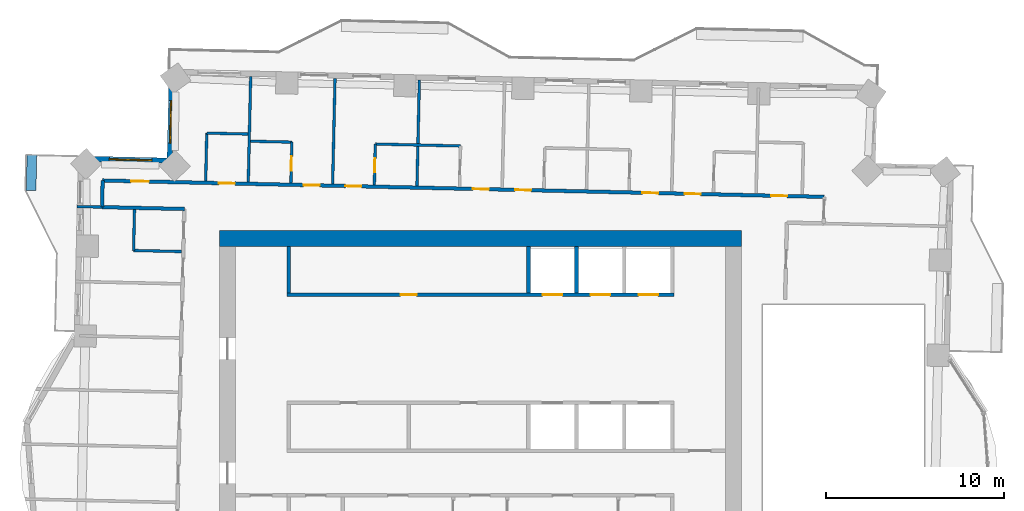
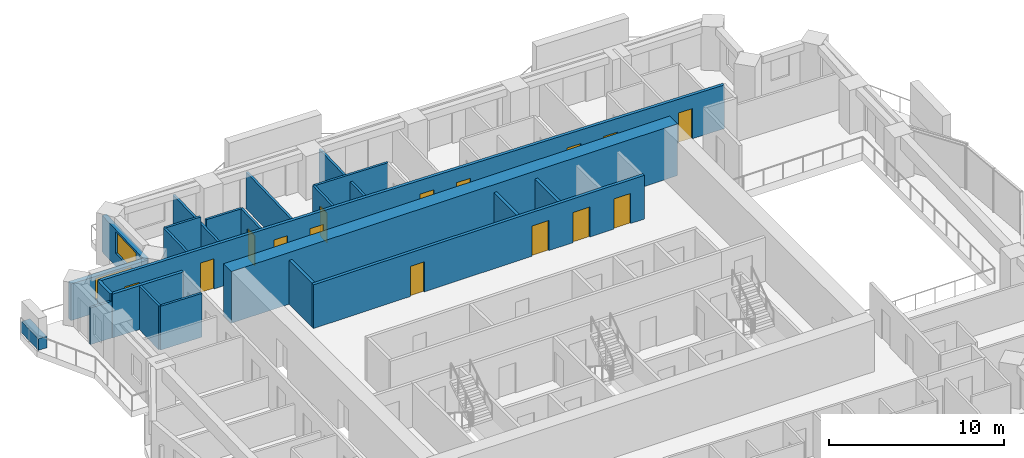
# One storey, part 8 of 14: 23 walls, 15 doors, 2 windows, 17 openings.
"""IFC4 building model written with IfcOpenShell, lengths in metres."""

from ifc_helpers import new_model, si_unit, direction, frame, frame_2d, origin, place, context, subcontext, project, spatial, rectangle, extrude, material, layer, layer_set, type_object, element, fill, save


model = new_model("IFC4")

# Units and contexts
model_context = context("Model", 3, precision=1e-05, world=origin(), true_north=direction((0.0, 1.0)))
body_context = subcontext(model_context, "Body", "Model", "MODEL_VIEW")
ifc_project = project(units=[si_unit("LENGTHUNIT", "METRE"), si_unit("AREAUNIT", "SQUARE_METRE"), si_unit("VOLUMEUNIT", "CUBIC_METRE"), si_unit("PLANEANGLEUNIT", "RADIAN"), si_unit("MASSUNIT", "GRAM", prefix="KILO")], contexts=[model_context])

# Site, building, storey
site_placement = place(None, origin())
site = spatial("IfcSite", under=ifc_project, at=site_placement, CompositionType="ELEMENT")
building_placement = place(site_placement, origin())
building = spatial("IfcBuilding", under=site, at=building_placement, Name="Mangrove Gate Tower", CompositionType="ELEMENT")
storey_placement = place(building_placement, frame((0.0, 0.0, 159.89990234375)))
storey = spatial("IfcBuildingStorey", under=building, at=storey_placement, Name="L40", CompositionType="ELEMENT", Elevation=159.89990234375)

# Wall
ifc_material_1 = material(Name="Concrete C32/40", Category="concrete")
ifc_layer_1 = layer(ifc_material_1, 0.199951171875)
ifc_layer_set_1 = layer_set([ifc_layer_1], Name="Core room wall 200 C32/40")
wall_type_1 = type_object("IfcWallType", Name="Core room wall 200 C32/40", PredefinedType="STANDARD", material=ifc_layer_set_1)
wall_1_placement = place(storey_placement, frame((-10.800048828125, 8.199951171875, 0.0), z_axis=(0.0, 0.0, 1.0), x_axis=(0.0, 1.0, 0.0)))
element("IfcWall", 1, at=wall_1_placement, inside=storey, type_object=wall_type_1, Name="WALL-L40-CORE-25", PredefinedType="STANDARD", context=body_context, shape_type="SweptSolid", body=[
    extrude(rectangle(XDim=2.60009765625, YDim=0.199951171875, at=frame_2d((1.300048828125, 0.0))), origin(), (0.0, 0.0, 1.0), 3.050048828125),
])

# Wall, openings, doors
ifc_material_2 = material(Name="Concrete C60/75", Category="concrete")
ifc_layer_2 = layer(ifc_material_2, 0.199951171875)
ifc_layer_set_2 = layer_set([ifc_layer_2], Name="Core shaft wall 200 C60/75")
wall_type_2 = type_object("IfcWallType", Name="Core shaft wall 200 C60/75", PredefinedType="SHEAR", material=ifc_layer_set_2)
wall_2_placement = place(storey_placement, frame((-10.89990234375, 8.10009765625, 0.0), z_axis=(0.0, 0.0, 1.0), x_axis=(1.0, 0.0, 0.0)))
wall_2 = element("IfcWall", 2, at=wall_2_placement, inside=storey, type_object=wall_type_2, Name="WALL-L40-CORE-8", PredefinedType="SHEAR", context=body_context, shape_type="SweptSolid", body=[
    extrude(rectangle(XDim=21.7998046875, YDim=0.199951171875, at=frame_2d((10.89990234375, 0.0))), origin(), (0.0, 0.0, 1.0), 3.050048828125),
])
opening_1_placement = place(wall_2_placement, frame((14.39990234375, 0.0, 0.0)))
opening_1 = element("IfcOpeningElement", 3, at=opening_1_placement, cuts=wall_2, Name="Opening LD", PredefinedType="OPENING", context=body_context, shape_type="SweptSolid", body=[
    extrude(rectangle(XDim=1.10009765625, YDim=2.10009765625, at=frame_2d((0.550048828125, 1.050048828125))), frame((0.0, 0.10986328125, 0.0), z_axis=(0.0, -1.0, 0.0), x_axis=(1.0, 0.0, 0.0)), (0.0, 0.0, 1.0), 0.219970703125),
])
opening_2_placement = place(wall_2_placement, frame((17.10009765625, 0.0, 0.0)))
opening_2 = element("IfcOpeningElement", 4, at=opening_2_placement, cuts=wall_2, Name="Opening LD", PredefinedType="OPENING", context=body_context, shape_type="SweptSolid", body=[
    extrude(rectangle(XDim=1.10009765625, YDim=2.10009765625, at=frame_2d((0.550048828125, 1.050048828125))), frame((0.0, 0.10986328125, 0.0), z_axis=(0.0, -1.0, 0.0), x_axis=(1.0, 0.0, 0.0)), (0.0, 0.0, 1.0), 0.219970703125),
])
opening_3_placement = place(wall_2_placement, frame((19.800048828125, 0.0, 0.0)))
opening_3 = element("IfcOpeningElement", 5, at=opening_3_placement, cuts=wall_2, Name="Opening LD", PredefinedType="OPENING", context=body_context, shape_type="SweptSolid", body=[
    extrude(rectangle(XDim=1.10009765625, YDim=2.10009765625, at=frame_2d((0.550048828125, 1.050048828125))), frame((0.0, 0.10986328125, 0.0), z_axis=(0.0, -1.0, 0.0), x_axis=(1.0, 0.0, 0.0)), (0.0, 0.0, 1.0), 0.219970703125),
])
opening_4_placement = place(wall_2_placement, frame((6.39990234375, 0.0, 0.0)))
opening_4 = element("IfcOpeningElement", 6, at=opening_4_placement, cuts=wall_2, Name="Opening KD", PredefinedType="OPENING", context=body_context, shape_type="SweptSolid", body=[
    extrude(rectangle(XDim=0.89990234375, YDim=2.10009765625, at=frame_2d((0.449951171875, 1.050048828125))), frame((0.0, 0.10986328125, 0.0), z_axis=(0.0, -1.0, 0.0), x_axis=(1.0, 0.0, 0.0)), (0.0, 0.0, 1.0), 0.219970703125),
])
ifc_material_3 = material(Name="Fire-rated steel door set", Category="steel")
door_type_1 = type_object("IfcDoorType", Name="Core room door FD30S 900x2100", OperationType="SINGLE_SWING_RIGHT", PredefinedType="DOOR", material=ifc_material_3)
door_1_placement = place(opening_4_placement, origin())
door_1 = element("IfcDoor", 7, at=door_1_placement, inside=storey, type_object=door_type_1, Name="Core room door Refuse store", OperationType="SINGLE_SWING_RIGHT", OverallHeight=2.10009765625, OverallWidth=0.89990234375, PredefinedType="DOOR", context=body_context, shape_type="SweptSolid", body=[
    extrude(rectangle(XDim=0.89990234375, YDim=2.10009765625, at=frame_2d((0.449951171875, 1.050048828125))), frame((0.0, 0.02490234375, 0.0), z_axis=(0.0, -1.0, 0.0), x_axis=(1.0, 0.0, 0.0)), (0.0, 0.0, 1.0), 0.050048828125),
])
fill(opening_4, door_1)
ifc_material_4 = material(Name="Stainless steel 316", Category="steel")
door_type_2 = type_object("IfcDoorType", Name="Lift landing door 1100x2100", OperationType="SLIDING_TO_LEFT", PredefinedType="DOOR", material=ifc_material_4)
door_2_placement = place(opening_1_placement, origin())
door_2 = element("IfcDoor", 8, at=door_2_placement, inside=storey, type_object=door_type_2, Name="Landing door LD M04", OperationType="SLIDING_TO_LEFT", OverallHeight=2.10009765625, OverallWidth=1.10009765625, PredefinedType="DOOR", context=body_context, shape_type="SweptSolid", body=[
    extrude(rectangle(XDim=1.10009765625, YDim=2.10009765625, at=frame_2d((0.550048828125, 1.050048828125))), frame((0.0, 0.02490234375, 0.0), z_axis=(0.0, -1.0, 0.0), x_axis=(1.0, 0.0, 0.0)), (0.0, 0.0, 1.0), 0.050048828125),
])
fill(opening_1, door_2)
door_3_placement = place(opening_2_placement, origin())
door_3 = element("IfcDoor", 9, at=door_3_placement, inside=storey, type_object=door_type_2, Name="Landing door LD M05", OperationType="SLIDING_TO_LEFT", OverallHeight=2.10009765625, OverallWidth=1.10009765625, PredefinedType="DOOR", context=body_context, shape_type="SweptSolid", body=[
    extrude(rectangle(XDim=1.10009765625, YDim=2.10009765625, at=frame_2d((0.550048828125, 1.050048828125))), frame((0.0, 0.02490234375, 0.0), z_axis=(0.0, -1.0, 0.0), x_axis=(1.0, 0.0, 0.0)), (0.0, 0.0, 1.0), 0.050048828125),
])
fill(opening_2, door_3)
door_4_placement = place(opening_3_placement, origin())
door_4 = element("IfcDoor", 10, at=door_4_placement, inside=storey, type_object=door_type_2, Name="Landing door LD M06", OperationType="SLIDING_TO_LEFT", OverallHeight=2.10009765625, OverallWidth=1.10009765625, PredefinedType="DOOR", context=body_context, shape_type="SweptSolid", body=[
    extrude(rectangle(XDim=1.10009765625, YDim=2.10009765625, at=frame_2d((0.550048828125, 1.050048828125))), frame((0.0, 0.02490234375, 0.0), z_axis=(0.0, -1.0, 0.0), x_axis=(1.0, 0.0, 0.0)), (0.0, 0.0, 1.0), 0.050048828125),
])
fill(opening_3, door_4)

# Walls
for number, where, z_axis, x_axis, name in (
    (11, (2.699951171875, 8.199951171875, 0.0), (0.0, 0.0, 1.0), (0.0, 1.0, 0.0), "WALL-L40-CORE-26"),
    (12, (5.39990234375, 8.199951171875, 0.0), (0.0, 0.0, 1.0), (0.0, 1.0, 0.0), "WALL-L40-CORE-27"),
):
    element("IfcWall", number, at=place(storey_placement, frame(where, z_axis=z_axis, x_axis=x_axis)), inside=storey, type_object=wall_type_2, Name=name, PredefinedType="SHEAR", context=body_context, shape_type="SweptSolid", body=[
        extrude(rectangle(XDim=2.60009765625, YDim=0.199951171875, at=frame_2d((1.300048828125, 0.0))), origin(), (0.0, 0.0, 1.0), 3.050048828125),
    ])
ifc_material_5 = material(Name="Concrete C60/75", Category="concrete")
ifc_layer_3 = layer(ifc_material_5, 0.89990234375)
ifc_layer_set_3 = layer_set([ifc_layer_3], Name="Core wall 900 C60/75")
wall_type_3 = type_object("IfcWallType", Name="Core wall 900 C60/75", PredefinedType="SHEAR", material=ifc_layer_set_3)
wall_3_placement = place(storey_placement, frame((-14.699951171875, 11.25, 0.0), z_axis=(0.0, 0.0, 1.0), x_axis=(1.0, 0.0, 0.0)))
element("IfcWall", 13, at=wall_3_placement, inside=storey, type_object=wall_type_3, Name="WALL-L40-CORE-2", PredefinedType="SHEAR", context=body_context, shape_type="SweptSolid", body=[
    extrude(rectangle(XDim=29.39990234375, YDim=0.89990234375, at=frame_2d((14.699951171875, 0.0))), origin(), (0.0, 0.0, 1.0), 3.60009765625),
])
ifc_material_6 = material(Name="Gypsum board on steel stud, EI 60", Category="steel")
ifc_layer_4 = layer(ifc_material_6, 0.199951171875)
ifc_layer_set_4 = layer_set([ifc_layer_4], Name="Corridor wall EI 60")
wall_type_4 = type_object("IfcWallType", Name="Corridor wall EI 60", PredefinedType="PARTITIONING", material=ifc_layer_set_4)
wall_4_placement = place(storey_placement, frame((-21.31298828125, 13.02392578125, 0.0), z_axis=(0.0, 0.0, 1.0), x_axis=(0.999738699021, -0.022858995594, 0.0)))
element("IfcWall", 14, at=wall_4_placement, inside=storey, type_object=wall_type_4, Name="WALL-L40-052", PredefinedType="PARTITIONING", context=body_context, shape_type="SweptSolid", body=[
    extrude(rectangle(XDim=4.63525390625, YDim=0.199951171875, at=frame_2d((2.317626953125, 0.0))), origin(), (0.0, 0.0, 1.0), 3.050048828125),
])
wall_5_placement = place(storey_placement, frame((-21.31298828125, 13.02392578125, 0.0), z_axis=(0.0, 0.0, 1.0), x_axis=(0.022632637625, 0.99974384905, 0.0)))
element("IfcWall", 15, at=wall_5_placement, inside=storey, type_object=wall_type_4, Name="WALL-L40-053", PredefinedType="PARTITIONING", context=body_context, shape_type="SweptSolid", body=[
    extrude(rectangle(XDim=1.49951171875, YDim=0.199951171875, at=frame_2d((0.749755859375, 0.0))), origin(), (0.0, 0.0, 1.0), 3.050048828125),
])

# Wall, openings, doors
wall_6_placement = place(storey_placement, frame((-21.279052734375, 14.52294921875, 0.0), z_axis=(0.0, 0.0, 1.0), x_axis=(0.999742669174, -0.02268469602, 0.0)))
wall_6 = element("IfcWall", 16, at=wall_6_placement, inside=storey, type_object=wall_type_4, Name="WALL-L40-057", PredefinedType="PARTITIONING", context=body_context, shape_type="SweptSolid", body=[
    extrude(rectangle(XDim=40.638671875, YDim=0.199951171875, at=frame_2d((20.3193359375, 0.0))), origin(), (0.0, 0.0, 1.0), 3.050048828125),
])
opening_5_placement = place(wall_6_placement, frame((37.64990234375, 0.0, 0.0)))
opening_5 = element("IfcOpeningElement", 17, at=opening_5_placement, cuts=wall_6, Name="Opening SD", PredefinedType="OPENING", context=body_context, shape_type="SweptSolid", body=[
    extrude(rectangle(XDim=0.89990234375, YDim=2.10009765625, at=frame_2d((0.449951171875, 1.050048828125))), frame((0.0, 0.10986328125, 0.0), z_axis=(0.0, -1.0, 0.0), x_axis=(1.0, 0.0, 0.0)), (0.0, 0.0, 1.0), 0.219970703125),
])
opening_6_placement = place(wall_6_placement, frame((32.77490234375, 0.0, 0.0)))
opening_6 = element("IfcOpeningElement", 18, at=opening_6_placement, cuts=wall_6, Name="Opening BD", PredefinedType="OPENING", context=body_context, shape_type="SweptSolid", body=[
    extrude(rectangle(XDim=0.89990234375, YDim=2.10009765625, at=frame_2d((0.449951171875, 1.050048828125))), frame((0.0, 0.10986328125, 0.0), z_axis=(0.0, -1.0, 0.0), x_axis=(1.0, 0.0, 0.0)), (0.0, 0.0, 1.0), 0.219970703125),
])
opening_7_placement = place(wall_6_placement, frame((30.39990234375, 0.0, 0.0)))
opening_7 = element("IfcOpeningElement", 19, at=opening_7_placement, cuts=wall_6, Name="Opening BD", PredefinedType="OPENING", context=body_context, shape_type="SweptSolid", body=[
    extrude(rectangle(XDim=0.89990234375, YDim=2.10009765625, at=frame_2d((0.449951171875, 1.050048828125))), frame((0.0, 0.10986328125, 0.0), z_axis=(0.0, -1.0, 0.0), x_axis=(1.0, 0.0, 0.0)), (0.0, 0.0, 1.0), 0.219970703125),
])
opening_8_placement = place(wall_6_placement, frame((23.22509765625, 0.0, 0.0)))
opening_8 = element("IfcOpeningElement", 20, at=opening_8_placement, cuts=wall_6, Name="Opening BD", PredefinedType="OPENING", context=body_context, shape_type="SweptSolid", body=[
    extrude(rectangle(XDim=0.89990234375, YDim=2.10009765625, at=frame_2d((0.449951171875, 1.050048828125))), frame((0.0, 0.10986328125, 0.0), z_axis=(0.0, -1.0, 0.0), x_axis=(1.0, 0.0, 0.0)), (0.0, 0.0, 1.0), 0.219970703125),
])
opening_9_placement = place(wall_6_placement, frame((20.85009765625, 0.0, 0.0)))
opening_9 = element("IfcOpeningElement", 21, at=opening_9_placement, cuts=wall_6, Name="Opening BD", PredefinedType="OPENING", context=body_context, shape_type="SweptSolid", body=[
    extrude(rectangle(XDim=0.89990234375, YDim=2.10009765625, at=frame_2d((0.449951171875, 1.050048828125))), frame((0.0, 0.10986328125, 0.0), z_axis=(0.0, -1.0, 0.0), x_axis=(1.0, 0.0, 0.0)), (0.0, 0.0, 1.0), 0.219970703125),
])
opening_10_placement = place(wall_6_placement, frame((13.675048828125, 0.0, 0.0)))
opening_10 = element("IfcOpeningElement", 22, at=opening_10_placement, cuts=wall_6, Name="Opening BD", PredefinedType="OPENING", context=body_context, shape_type="SweptSolid", body=[
    extrude(rectangle(XDim=0.89990234375, YDim=2.10009765625, at=frame_2d((0.449951171875, 1.050048828125))), frame((0.0, 0.10986328125, 0.0), z_axis=(0.0, -1.0, 0.0), x_axis=(1.0, 0.0, 0.0)), (0.0, 0.0, 1.0), 0.219970703125),
])
opening_11_placement = place(wall_6_placement, frame((11.324951171875, 0.0, 0.0)))
opening_11 = element("IfcOpeningElement", 23, at=opening_11_placement, cuts=wall_6, Name="Opening BD", PredefinedType="OPENING", context=body_context, shape_type="SweptSolid", body=[
    extrude(rectangle(XDim=0.89990234375, YDim=2.10009765625, at=frame_2d((0.449951171875, 1.050048828125))), frame((0.0, 0.10986328125, 0.0), z_axis=(0.0, -1.0, 0.0), x_axis=(1.0, 0.0, 0.0)), (0.0, 0.0, 1.0), 0.219970703125),
])
opening_12_placement = place(wall_6_placement, frame((1.60009765625, 0.0, 0.0)))
opening_12 = element("IfcOpeningElement", 24, at=opening_12_placement, cuts=wall_6, Name="Opening AD", PredefinedType="OPENING", context=body_context, shape_type="SweptSolid", body=[
    extrude(rectangle(XDim=1.0, YDim=2.10009765625, at=frame_2d((0.5, 1.050048828125))), frame((0.0, 0.10986328125, 0.0), z_axis=(0.0, -1.0, 0.0), x_axis=(1.0, 0.0, 0.0)), (0.0, 0.0, 1.0), 0.219970703125),
])
opening_13_placement = place(wall_6_placement, frame((6.550048828125, 0.0, 0.0)))
opening_13 = element("IfcOpeningElement", 25, at=opening_13_placement, cuts=wall_6, Name="Opening SD", PredefinedType="OPENING", context=body_context, shape_type="SweptSolid", body=[
    extrude(rectangle(XDim=0.89990234375, YDim=2.10009765625, at=frame_2d((0.449951171875, 1.050048828125))), frame((0.0, 0.10986328125, 0.0), z_axis=(0.0, -1.0, 0.0), x_axis=(1.0, 0.0, 0.0)), (0.0, 0.0, 1.0), 0.219970703125),
])
ifc_material_7 = material(Name="Timber door leaf", Category="wood")
door_type_3 = type_object("IfcDoorType", Name="Amenity door 1000", OperationType="SINGLE_SWING_LEFT", PredefinedType="DOOR", material=ifc_material_7)
door_5_placement = place(opening_12_placement, origin())
door_5 = element("IfcDoor", 26, at=door_5_placement, inside=storey, type_object=door_type_3, Name="DOOR-L40-STU-c5a", OperationType="SINGLE_SWING_RIGHT", OverallHeight=2.10009765625, OverallWidth=1.0, PredefinedType="DOOR", context=body_context, shape_type="SweptSolid", body=[
    extrude(rectangle(XDim=1.0, YDim=2.10009765625, at=frame_2d((0.5, 1.050048828125))), frame((0.0, 0.02490234375, 0.0), z_axis=(0.0, -1.0, 0.0), x_axis=(1.0, 0.0, 0.0)), (0.0, 0.0, 1.0), 0.050048828125),
])
fill(opening_12, door_5)
ifc_material_8 = material(Name="Timber door leaf", Category="wood")
door_type_4 = type_object("IfcDoorType", Name="Bedroom door 900", OperationType="SINGLE_SWING_LEFT", PredefinedType="DOOR", material=ifc_material_8)
door_6_placement = place(opening_6_placement, origin())
door_6 = element("IfcDoor", 27, at=door_6_placement, inside=storey, type_object=door_type_4, Name="DOOR-L40-BED-c309", OperationType="SINGLE_SWING_LEFT", OverallHeight=2.10009765625, OverallWidth=0.89990234375, PredefinedType="DOOR", context=body_context, shape_type="SweptSolid", body=[
    extrude(rectangle(XDim=0.89990234375, YDim=2.10009765625, at=frame_2d((0.449951171875, 1.050048828125))), frame((0.0, 0.02490234375, 0.0), z_axis=(0.0, -1.0, 0.0), x_axis=(1.0, 0.0, 0.0)), (0.0, 0.0, 1.0), 0.050048828125),
])
fill(opening_6, door_6)
door_7_placement = place(opening_7_placement, origin())
door_7 = element("IfcDoor", 28, at=door_7_placement, inside=storey, type_object=door_type_4, Name="DOOR-L40-BED-c410", OperationType="SINGLE_SWING_RIGHT", OverallHeight=2.10009765625, OverallWidth=0.89990234375, PredefinedType="DOOR", context=body_context, shape_type="SweptSolid", body=[
    extrude(rectangle(XDim=0.89990234375, YDim=2.10009765625, at=frame_2d((0.449951171875, 1.050048828125))), frame((0.0, 0.02490234375, 0.0), z_axis=(0.0, -1.0, 0.0), x_axis=(1.0, 0.0, 0.0)), (0.0, 0.0, 1.0), 0.050048828125),
])
fill(opening_7, door_7)
door_8_placement = place(opening_8_placement, origin())
door_8 = element("IfcDoor", 29, at=door_8_placement, inside=storey, type_object=door_type_4, Name="DOOR-L40-BED-c411", OperationType="SINGLE_SWING_LEFT", OverallHeight=2.10009765625, OverallWidth=0.89990234375, PredefinedType="DOOR", context=body_context, shape_type="SweptSolid", body=[
    extrude(rectangle(XDim=0.89990234375, YDim=2.10009765625, at=frame_2d((0.449951171875, 1.050048828125))), frame((0.0, 0.02490234375, 0.0), z_axis=(0.0, -1.0, 0.0), x_axis=(1.0, 0.0, 0.0)), (0.0, 0.0, 1.0), 0.050048828125),
])
fill(opening_8, door_8)
door_9_placement = place(opening_9_placement, origin())
door_9 = element("IfcDoor", 30, at=door_9_placement, inside=storey, type_object=door_type_4, Name="DOOR-L40-BED-c412", OperationType="SINGLE_SWING_RIGHT", OverallHeight=2.10009765625, OverallWidth=0.89990234375, PredefinedType="DOOR", context=body_context, shape_type="SweptSolid", body=[
    extrude(rectangle(XDim=0.89990234375, YDim=2.10009765625, at=frame_2d((0.449951171875, 1.050048828125))), frame((0.0, 0.02490234375, 0.0), z_axis=(0.0, -1.0, 0.0), x_axis=(1.0, 0.0, 0.0)), (0.0, 0.0, 1.0), 0.050048828125),
])
fill(opening_9, door_9)
door_10_placement = place(opening_10_placement, origin())
door_10 = element("IfcDoor", 31, at=door_10_placement, inside=storey, type_object=door_type_4, Name="DOOR-L40-BED-c513", OperationType="SINGLE_SWING_LEFT", OverallHeight=2.10009765625, OverallWidth=0.89990234375, PredefinedType="DOOR", context=body_context, shape_type="SweptSolid", body=[
    extrude(rectangle(XDim=0.89990234375, YDim=2.10009765625, at=frame_2d((0.449951171875, 1.050048828125))), frame((0.0, 0.02490234375, 0.0), z_axis=(0.0, -1.0, 0.0), x_axis=(1.0, 0.0, 0.0)), (0.0, 0.0, 1.0), 0.050048828125),
])
fill(opening_10, door_10)
door_11_placement = place(opening_11_placement, origin())
door_11 = element("IfcDoor", 32, at=door_11_placement, inside=storey, type_object=door_type_4, Name="DOOR-L40-BED-c514", OperationType="SINGLE_SWING_RIGHT", OverallHeight=2.10009765625, OverallWidth=0.89990234375, PredefinedType="DOOR", context=body_context, shape_type="SweptSolid", body=[
    extrude(rectangle(XDim=0.89990234375, YDim=2.10009765625, at=frame_2d((0.449951171875, 1.050048828125))), frame((0.0, 0.02490234375, 0.0), z_axis=(0.0, -1.0, 0.0), x_axis=(1.0, 0.0, 0.0)), (0.0, 0.0, 1.0), 0.050048828125),
])
fill(opening_11, door_11)
ifc_material_9 = material(Name="Timber door leaf", Category="wood")
door_type_5 = type_object("IfcDoorType", Name="Service room door 900", OperationType="SINGLE_SWING_LEFT", PredefinedType="DOOR", material=ifc_material_9)
door_12_placement = place(opening_5_placement, origin())
door_12 = element("IfcDoor", 33, at=door_12_placement, inside=storey, type_object=door_type_5, Name="DOOR-L40-AWC-c3b", OperationType="SINGLE_SWING_LEFT", OverallHeight=2.10009765625, OverallWidth=0.89990234375, PredefinedType="DOOR", context=body_context, shape_type="SweptSolid", body=[
    extrude(rectangle(XDim=0.89990234375, YDim=2.10009765625, at=frame_2d((0.449951171875, 1.050048828125))), frame((0.0, 0.02490234375, 0.0), z_axis=(0.0, -1.0, 0.0), x_axis=(1.0, 0.0, 0.0)), (0.0, 0.0, 1.0), 0.050048828125),
])
fill(opening_5, door_12)
door_13_placement = place(opening_13_placement, origin())
door_13 = element("IfcDoor", 34, at=door_13_placement, inside=storey, type_object=door_type_5, Name="DOOR-L40-WC-c5a", OperationType="SINGLE_SWING_RIGHT", OverallHeight=2.10009765625, OverallWidth=0.89990234375, PredefinedType="DOOR", context=body_context, shape_type="SweptSolid", body=[
    extrude(rectangle(XDim=0.89990234375, YDim=2.10009765625, at=frame_2d((0.449951171875, 1.050048828125))), frame((0.0, 0.02490234375, 0.0), z_axis=(0.0, -1.0, 0.0), x_axis=(1.0, 0.0, 0.0)), (0.0, 0.0, 1.0), 0.050048828125),
])
fill(opening_13, door_13)

# Wall, opening, window
ifc_material_10 = material(Name="Limestone", Category="masonry")
ifc_layer_5 = layer(ifc_material_10, 0.0400390625, Name="Limestone cladding")
ifc_material_11 = material(Name="Ventilated air gap")
ifc_layer_6 = layer(ifc_material_11, 0.0400390625, Name="Ventilated cavity")
ifc_material_12 = material(Name="Mineral wool insulation")
ifc_layer_7 = layer(ifc_material_12, 0.06005859375, Name="Insulation")
ifc_material_13 = material(Name="Breather membrane")
ifc_layer_8 = layer(ifc_material_13, 0.001953125, Name="Breather membrane")
ifc_material_14 = material(Name="Concrete C20/25 blockwork", Category="masonry")
ifc_layer_9 = layer(ifc_material_14, 0.14990234375, Name="Blockwork backing wall")
ifc_material_15 = material(Name="Gypsum plaster")
ifc_layer_10 = layer(ifc_material_15, 0.008056640625, Name="Internal plaster")
ifc_layer_set_5 = layer_set([ifc_layer_5, ifc_layer_6, ifc_layer_7, ifc_layer_8, ifc_layer_9, ifc_layer_10], Name="External wall 300 limestone cladding")
wall_type_5 = type_object("IfcWallType", Name="External wall 300 limestone cladding", PredefinedType="SOLIDWALL", material=ifc_layer_set_5)
wall_7_placement = place(storey_placement, frame((-17.388916015625, 20.636962890625, 0.0), z_axis=(0.0, 0.0, 1.0), x_axis=(-0.022801259434, -0.999740017489, 0.0)))
wall_7 = element("IfcWall", 35, at=wall_7_placement, inside=storey, type_object=wall_type_5, Name="WALL-L40-W6", PredefinedType="SOLIDWALL", context=body_context, shape_type="SweptSolid", body=[
    extrude(rectangle(XDim=5.000244140625, YDim=0.300048828125, at=frame_2d((2.5, 0.0))), origin(), (0.0, 0.0, 1.0), 2.550048828125),
])
opening_14_placement = place(wall_7_placement, frame((1.615966796875, 0.0, 0.89990234375)))
opening_14 = element("IfcOpeningElement", 36, at=opening_14_placement, cuts=wall_7, Name="Opening W2", PredefinedType="OPENING", context=body_context, shape_type="SweptSolid", body=[
    extrude(rectangle(XDim=2.39990234375, YDim=1.5, at=frame_2d((1.199951171875, 0.75))), frame((0.0, 0.159912109375, 0.0), z_axis=(0.0, -1.0, 0.0), x_axis=(1.0, 0.0, 0.0)), (0.0, 0.0, 1.0), 0.320068359375),
])
ifc_material_16 = material(Name="Aluminium frame with double-glazed low-e glass", Category="aluminium")
window_type = type_object("IfcWindowType", Name="Corner room window 2400x1500", PartitioningType="DOUBLE_PANEL_VERTICAL", PredefinedType="WINDOW", material=ifc_material_16)
window_1_placement = place(opening_14_placement, origin())
window_1 = element("IfcWindow", 37, at=window_1_placement, inside=storey, type_object=window_type, Name="WIN-L40-W6-1", OverallHeight=1.5, OverallWidth=2.39990234375, PartitioningType="DOUBLE_PANEL_VERTICAL", PredefinedType="WINDOW", context=body_context, shape_type="SweptSolid", body=[
    extrude(rectangle(XDim=2.39990234375, YDim=1.5, at=frame_2d((1.199951171875, 0.75))), frame((0.0, 0.030029296875, 0.0), z_axis=(0.0, -1.0, 0.0), x_axis=(1.0, 0.0, 0.0)), (0.0, 0.0, 1.0), 0.06005859375),
])
fill(opening_14, window_1)

wall_8_placement = place(storey_placement, frame((-17.5029296875, 15.637939453125, 0.0), z_axis=(0.0, 0.0, 1.0), x_axis=(-0.999744350543, 0.022610474516, 0.0)))
wall_8 = element("IfcWall", 38, at=wall_8_placement, inside=storey, type_object=wall_type_5, Name="WALL-L40-N7", PredefinedType="SOLIDWALL", context=body_context, shape_type="SweptSolid", body=[
    extrude(rectangle(XDim=4.999267578125, YDim=0.300048828125, at=frame_2d((2.49951171875, 0.0))), origin(), (0.0, 0.0, 1.0), 2.550048828125),
])
opening_15_placement = place(wall_8_placement, frame((1.007080078125, 0.0, 0.89990234375)))
opening_15 = element("IfcOpeningElement", 39, at=opening_15_placement, cuts=wall_8, Name="Opening W2", PredefinedType="OPENING", context=body_context, shape_type="SweptSolid", body=[
    extrude(rectangle(XDim=2.39990234375, YDim=1.5, at=frame_2d((1.199951171875, 0.75))), frame((0.0, 0.159912109375, 0.0), z_axis=(0.0, -1.0, 0.0), x_axis=(1.0, 0.0, 0.0)), (0.0, 0.0, 1.0), 0.320068359375),
])
window_2_placement = place(opening_15_placement, origin())
window_2 = element("IfcWindow", 40, at=window_2_placement, inside=storey, type_object=window_type, Name="WIN-L40-N7-1", OverallHeight=1.5, OverallWidth=2.39990234375, PartitioningType="DOUBLE_PANEL_VERTICAL", PredefinedType="WINDOW", context=body_context, shape_type="SweptSolid", body=[
    extrude(rectangle(XDim=2.39990234375, YDim=1.5, at=frame_2d((1.199951171875, 0.75))), frame((0.0, 0.030029296875, 0.0), z_axis=(0.0, -1.0, 0.0), x_axis=(1.0, 0.0, 0.0)), (0.0, 0.0, 1.0), 0.06005859375),
])
fill(opening_15, window_2)

# Walls
ifc_material_17 = material(Name="Gypsum board on steel stud, EI 60", Category="steel")
ifc_layer_11 = layer(ifc_material_17, 0.14990234375)
ifc_layer_set_6 = layer_set([ifc_layer_11], Name="Party wall 150 EI 60")
wall_type_6 = type_object("IfcWallType", Name="Party wall 150 EI 60", PredefinedType="PARTITIONING", material=ifc_layer_set_6)
wall_9_placement = place(storey_placement, frame((-19.5380859375, 10.5830078125, 0.0), z_axis=(0.0, 0.0, 1.0), x_axis=(0.022612884682, 0.999744296031, 0.0)))
element("IfcWall", 41, at=wall_9_placement, inside=storey, type_object=wall_type_6, Name="WALL-L40-049", PredefinedType="PARTITIONING", context=body_context, shape_type="SweptSolid", body=[
    extrude(rectangle(XDim=2.299560546875, YDim=0.14990234375, at=frame_2d((1.14990234375, 0.0))), origin(), (0.0, 0.0, 1.0), 3.050048828125),
])
wall_10_placement = place(storey_placement, frame((-19.532958984375, 10.5830078125, 0.0), z_axis=(0.0, 0.0, 1.0), x_axis=(0.999736155505, -0.022969966847, 0.0)))
element("IfcWall", 42, at=wall_10_placement, inside=storey, type_object=wall_type_6, Name="WALL-L40-050", PredefinedType="PARTITIONING", context=body_context, shape_type="SweptSolid", body=[
    extrude(rectangle(XDim=2.69970703125, YDim=0.14990234375, at=frame_2d((1.349853515625, 0.0))), origin(), (0.0, 0.0, 1.0), 3.050048828125),
])
wall_11_placement = place(storey_placement, frame((-22.712890625, 13.054931640625, 0.0), z_axis=(0.0, 0.0, 1.0), x_axis=(0.999756172383, -0.022081571112, 0.0)))
element("IfcWall", 43, at=wall_11_placement, inside=storey, type_object=wall_type_6, Name="WALL-L40-051", PredefinedType="PARTITIONING", context=body_context, shape_type="SweptSolid", body=[
    extrude(rectangle(XDim=1.404052734375, YDim=0.14990234375, at=frame_2d((0.7021484375, 0.0))), origin(), (0.0, 0.0, 1.0), 2.550048828125),
])
wall_12_placement = place(storey_placement, frame((-15.47802734375, 14.491943359375, 0.0), z_axis=(0.0, 0.0, 1.0), x_axis=(0.02260842146, 0.999744396973, 0.0)))
element("IfcWall", 44, at=wall_12_placement, inside=storey, type_object=wall_type_6, Name="WALL-L40-058", PredefinedType="PARTITIONING", context=body_context, shape_type="SweptSolid", body=[
    extrude(rectangle(XDim=2.69970703125, YDim=0.14990234375, at=frame_2d((1.349853515625, 0.0))), origin(), (0.0, 0.0, 1.0), 3.050048828125),
])
wall_13_placement = place(storey_placement, frame((-13.0791015625, 14.43701171875, 0.0), z_axis=(0.0, 0.0, 1.0), x_axis=(0.022688785847, 0.999742576365, 0.0)))
element("IfcWall", 45, at=wall_13_placement, inside=storey, type_object=wall_type_6, Name="WALL-L40-059", PredefinedType="PARTITIONING", context=body_context, shape_type="SweptSolid", body=[
    extrude(rectangle(XDim=5.950439453125, YDim=0.14990234375, at=frame_2d((2.97509765625, 0.0))), origin(), (0.0, 0.0, 1.0), 2.550048828125),
])

# Wall, opening, door
wall_14_placement = place(storey_placement, frame((-10.678955078125, 14.383056640625, 0.0), z_axis=(0.0, 0.0, 1.0), x_axis=(0.022615284993, 0.999744241736, 0.0)))
wall_14 = element("IfcWall", 46, at=wall_14_placement, inside=storey, type_object=wall_type_6, Name="WALL-L40-060", PredefinedType="PARTITIONING", context=body_context, shape_type="SweptSolid", body=[
    extrude(rectangle(XDim=2.29931640625, YDim=0.14990234375, at=frame_2d((1.149658203125, 0.0))), origin(), (0.0, 0.0, 1.0), 3.050048828125),
])
opening_16_placement = place(wall_14_placement, frame((0.699951171875, 0.0, 0.0)))
opening_16 = element("IfcOpeningElement", 47, at=opening_16_placement, cuts=wall_14, Name="Opening ED", PredefinedType="OPENING", context=body_context, shape_type="SweptSolid", body=[
    extrude(rectangle(XDim=0.800048828125, YDim=2.10009765625, at=frame_2d((0.39990234375, 1.050048828125))), frame((0.0, 0.0849609375, 0.0), z_axis=(0.0, -1.0, 0.0), x_axis=(1.0, 0.0, 0.0)), (0.0, 0.0, 1.0), 0.169921875),
])
ifc_material_18 = material(Name="Timber door leaf", Category="wood")
door_type_6 = type_object("IfcDoorType", Name="En-suite door 800", OperationType="SINGLE_SWING_LEFT", PredefinedType="DOOR", material=ifc_material_18)
door_14_placement = place(opening_16_placement, origin())
door_14 = element("IfcDoor", 48, at=door_14_placement, inside=storey, type_object=door_type_6, Name="DOOR-L40-ENS-c514", OperationType="SINGLE_SWING_RIGHT", OverallHeight=2.10009765625, OverallWidth=0.800048828125, PredefinedType="DOOR", context=body_context, shape_type="SweptSolid", body=[
    extrude(rectangle(XDim=0.800048828125, YDim=2.10009765625, at=frame_2d((0.39990234375, 1.050048828125))), frame((0.0, 0.02490234375, 0.0), z_axis=(0.0, -1.0, 0.0), x_axis=(1.0, 0.0, 0.0)), (0.0, 0.0, 1.0), 0.050048828125),
])
fill(opening_16, door_14)

# Wall
wall_15_placement = place(storey_placement, frame((-8.330078125, 14.3291015625, 0.0), z_axis=(0.0, 0.0, 1.0), x_axis=(0.022688785847, 0.999742576365, 0.0)))
element("IfcWall", 49, at=wall_15_placement, inside=storey, type_object=wall_type_6, Name="WALL-L40-061", PredefinedType="PARTITIONING", context=body_context, shape_type="SweptSolid", body=[
    extrude(rectangle(XDim=5.950439453125, YDim=0.14990234375, at=frame_2d((2.97509765625, 0.0))), origin(), (0.0, 0.0, 1.0), 2.550048828125),
])

# Wall, opening, door
wall_16_placement = place(storey_placement, frame((-5.98095703125, 14.27587890625, 0.0), z_axis=(0.0, 0.0, 1.0), x_axis=(0.023037316498, 0.999734605807, 0.0)))
wall_16 = element("IfcWall", 50, at=wall_16_placement, inside=storey, type_object=wall_type_6, Name="WALL-L40-062", PredefinedType="PARTITIONING", context=body_context, shape_type="SweptSolid", body=[
    extrude(rectangle(XDim=2.299560546875, YDim=0.14990234375, at=frame_2d((1.14990234375, 0.0))), origin(), (0.0, 0.0, 1.0), 3.050048828125),
])
opening_17_placement = place(wall_16_placement, frame((0.699951171875, 0.0, 0.0)))
opening_17 = element("IfcOpeningElement", 51, at=opening_17_placement, cuts=wall_16, Name="Opening ED", PredefinedType="OPENING", context=body_context, shape_type="SweptSolid", body=[
    extrude(rectangle(XDim=0.800048828125, YDim=2.10009765625, at=frame_2d((0.39990234375, 1.050048828125))), frame((0.0, 0.0849609375, 0.0), z_axis=(0.0, -1.0, 0.0), x_axis=(1.0, 0.0, 0.0)), (0.0, 0.0, 1.0), 0.169921875),
])
door_15_placement = place(opening_17_placement, origin())
door_15 = element("IfcDoor", 52, at=door_15_placement, inside=storey, type_object=door_type_6, Name="DOOR-L40-ENS-c513", OperationType="SINGLE_SWING_LEFT", OverallHeight=2.10009765625, OverallWidth=0.800048828125, PredefinedType="DOOR", context=body_context, shape_type="SweptSolid", body=[
    extrude(rectangle(XDim=0.800048828125, YDim=2.10009765625, at=frame_2d((0.39990234375, 1.050048828125))), frame((0.0, 0.02490234375, 0.0), z_axis=(0.0, -1.0, 0.0), x_axis=(1.0, 0.0, 0.0)), (0.0, 0.0, 1.0), 0.050048828125),
])
fill(opening_17, door_15)

# Walls
wall_17_placement = place(storey_placement, frame((-3.5810546875, 14.221923828125, 0.0), z_axis=(0.0, 0.0, 1.0), x_axis=(0.022688785847, 0.999742576365, 0.0)))
element("IfcWall", 53, at=wall_17_placement, inside=storey, type_object=wall_type_6, Name="WALL-L40-063", PredefinedType="PARTITIONING", context=body_context, shape_type="SweptSolid", body=[
    extrude(rectangle(XDim=5.950439453125, YDim=0.14990234375, at=frame_2d((2.97509765625, 0.0))), origin(), (0.0, 0.0, 1.0), 2.550048828125),
])
wall_18_placement = place(storey_placement, frame((-12.951904296875, 16.735107421875, 0.0), z_axis=(0.0, 0.0, 1.0), x_axis=(0.999738082346, -0.022885950011, 0.0)))
element("IfcWall", 54, at=wall_18_placement, inside=storey, type_object=wall_type_6, Name="WALL-L40-073", PredefinedType="PARTITIONING", context=body_context, shape_type="SweptSolid", body=[
    extrude(rectangle(XDim=2.325439453125, YDim=0.14990234375, at=frame_2d((1.16259765625, 0.0))), origin(), (0.0, 0.0, 1.0), 3.050048828125),
])
wall_19_placement = place(storey_placement, frame((-5.927978515625, 16.574951171875, 0.0), z_axis=(0.0, 0.0, 1.0), x_axis=(0.999747191239, -0.022484519337, 0.0)))
element("IfcWall", 55, at=wall_19_placement, inside=storey, type_object=wall_type_6, Name="WALL-L40-074", PredefinedType="PARTITIONING", context=body_context, shape_type="SweptSolid", body=[
    extrude(rectangle(XDim=4.79931640625, YDim=0.14990234375, at=frame_2d((2.399658203125, 0.0))), origin(), (0.0, 0.0, 1.0), 3.050048828125),
])
wall_20_placement = place(storey_placement, frame((-15.4169921875, 17.19091796875, 0.0), z_axis=(0.0, 0.0, 1.0), x_axis=(0.999740260747, -0.02279059109, 0.0)))
element("IfcWall", 56, at=wall_20_placement, inside=storey, type_object=wall_type_6, Name="WALL-L40-077", PredefinedType="PARTITIONING", context=body_context, shape_type="SweptSolid", body=[
    extrude(rectangle(XDim=2.324462890625, YDim=0.14990234375, at=frame_2d((1.162109375, 0.0))), origin(), (0.0, 0.0, 1.0), 3.050048828125),
])
ifc_material_19 = material(Name="Concrete C32/40", Category="concrete")
ifc_layer_12 = layer(ifc_material_19, 0.199951171875, Name="Planter trough wall")
ifc_material_20 = material(Name="Bituminous waterproofing membrane")
ifc_layer_13 = layer(ifc_material_20, 0.0048828125, Name="Waterproofing")
ifc_material_21 = material(Name="Drainage board and gravel")
ifc_layer_14 = layer(ifc_material_21, 0.044921875, Name="Drainage layer")
ifc_material_22 = material(Name="Planting soil")
ifc_layer_15 = layer(ifc_material_22, 0.300048828125, Name="Growing medium")
ifc_layer_set_7 = layer_set([ifc_layer_12, ifc_layer_13, ifc_layer_14, ifc_layer_15], Name="Planter wall 550 C32/40")
wall_type_7 = type_object("IfcWallType", Name="Planter wall 550 C32/40", PredefinedType="USERDEFINED", material=ifc_layer_set_7)
wall_21_placement = place(storey_placement, frame((-25.30810546875, 13.965087890625, 0.0), z_axis=(0.0, 0.0, 1.0), x_axis=(0.023076413053, 0.999733704124, 0.0)))
element("IfcWall", 57, at=wall_21_placement, inside=storey, type_object=wall_type_7, Name="PLANTER L40 W0.1", ObjectType="PLANTER", PredefinedType="USERDEFINED", context=body_context, shape_type="SweptSolid", body=[
    extrude(rectangle(XDim=1.99951171875, YDim=0.550048828125, at=frame_2d((0.999755859375, 0.0))), origin(), (0.0, 0.0, 1.0), 0.800048828125),
])

save(model, "model.ifc")
